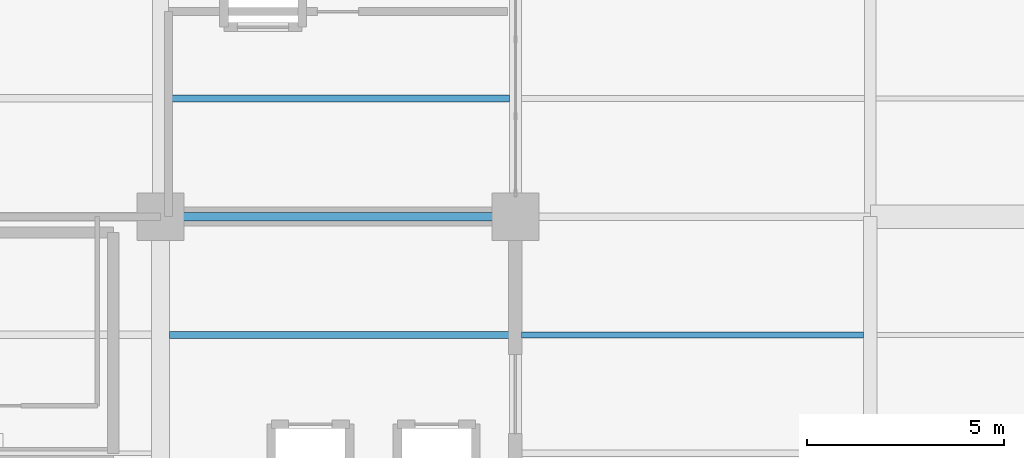
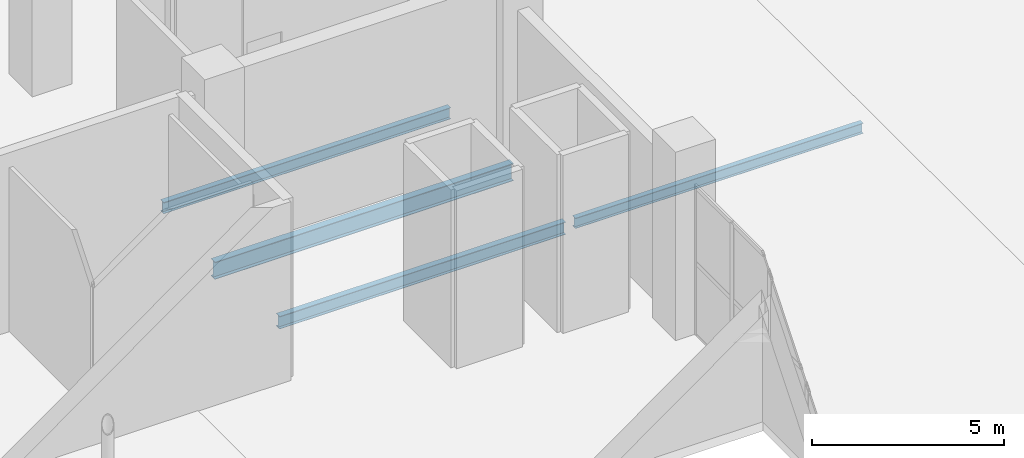
# One storey, part 39 of 144: 4 beams.
"""IFC4 building model written with IfcOpenShell, lengths in metres."""

from ifc_helpers import new_model, si_unit, direction, frame, origin, origin_2d, place, context, subcontext, project, spatial, i_section, extrude, material, material_profile, profile_set, type_object, element, save


model = new_model("IFC4")

# Units and contexts
model_context = context("Model", 3, precision=1e-05, world=origin(), true_north=direction((0.0, 1.0)))
body_context = subcontext(model_context, "Body", "Model", "MODEL_VIEW")
ifc_project = project(units=[si_unit("LENGTHUNIT", "METRE"), si_unit("AREAUNIT", "SQUARE_METRE"), si_unit("VOLUMEUNIT", "CUBIC_METRE"), si_unit("PLANEANGLEUNIT", "RADIAN"), si_unit("MASSUNIT", "GRAM", prefix="KILO")], contexts=[model_context])

# Site, building, storey
site_placement = place(None, origin())
site = spatial("IfcSite", under=ifc_project, at=site_placement, CompositionType="ELEMENT")
building_placement = place(site_placement, origin())
building = spatial("IfcBuilding", under=site, at=building_placement, Name="Sundgate Opera House", CompositionType="ELEMENT")
storey_placement = place(building_placement, origin())
storey = spatial("IfcBuildingStorey", under=building, at=storey_placement, Name="L00", CompositionType="ELEMENT", Elevation=0.0)

# Beams
ifc_material_1 = material(Name="Steel S355J2", Category="steel")
ifc_material_profile_1 = material_profile(ifc_material_1, i_section(OverallWidth=0.2099609375, OverallDepth=0.550048828125, WebThickness=0.010986328125, FlangeThickness=0.01708984375, at=origin_2d()), Name="IPE 550")
ifc_profile_set_1 = profile_set([ifc_material_profile_1], Name="Steel S355J2")
beam_type_1 = type_object("IfcBeamType", Name="BM-GR-IPE550", PredefinedType="BEAM", material=ifc_profile_set_1)
beam_1_placement = place(storey_placement, frame((63.0, 60.0, -0.594970703125), z_axis=(1.0, 0.0, 0.0), x_axis=(0.0, 1.0, 0.0)))
element("IfcBeam", 1, at=beam_1_placement, inside=storey, type_object=beam_type_1, Name="L00 Primary E-W Girder B0447", PredefinedType="BEAM", context=body_context, shape_type="SweptSolid", body=[
    extrude(i_section(OverallWidth=0.2099609375, OverallDepth=0.550048828125, WebThickness=0.010986328125, FlangeThickness=0.01708984375, at=origin_2d()), origin(), (0.0, 0.0, 1.0), 9.0),
])
ifc_material_2 = material(Name="Steel S355J2", Category="steel")
ifc_material_profile_2 = material_profile(ifc_material_2, i_section(OverallWidth=0.159912109375, OverallDepth=0.330078125, WebThickness=0.007568359375, FlangeThickness=0.011474609375, at=origin_2d()), Name="IPE 330")
ifc_profile_set_2 = profile_set([ifc_material_profile_2], Name="Steel S355J2")
beam_type_2 = type_object("IfcBeamType", Name="BM-JS-IPE330", PredefinedType="JOIST", material=ifc_profile_set_2)
beam_2_placement = place(storey_placement, frame((72.14990234375, 57.0, -0.485107421875), z_axis=(1.0, 0.0, 0.0), x_axis=(0.0, 1.0, 0.0)))
element("IfcBeam", 2, at=beam_2_placement, inside=storey, type_object=beam_type_2, Name="L00 Secondary Floor Joist B0787", PredefinedType="JOIST", context=body_context, shape_type="SweptSolid", body=[
    extrude(i_section(OverallWidth=0.159912109375, OverallDepth=0.330078125, WebThickness=0.007568359375, FlangeThickness=0.011474609375, at=origin_2d()), origin(), (0.0, 0.0, 1.0), 8.675048828125),
])
ifc_material_3 = material(Name="Steel S355J2", Category="steel")
ifc_material_profile_3 = material_profile(ifc_material_3, i_section(OverallWidth=0.169921875, OverallDepth=0.360107421875, WebThickness=0.008056640625, FlangeThickness=0.0126953125, at=origin_2d()), Name="IPE 360")
ifc_profile_set_3 = profile_set([ifc_material_profile_3], Name="Steel S355J2")
beam_type_3 = type_object("IfcBeamType", Name="BM-JS-IPE360", PredefinedType="JOIST", material=ifc_profile_set_3)
beam_3_placement = place(storey_placement, frame((63.199951171875, 63.0, -0.5), z_axis=(1.0, 0.0, 0.0), x_axis=(0.0, 1.0, 0.0)))
element("IfcBeam", 3, at=beam_3_placement, inside=storey, type_object=beam_type_3, Name="L00 Secondary Floor Joist B0814", PredefinedType="JOIST", context=body_context, shape_type="SweptSolid", body=[
    extrude(i_section(OverallWidth=0.169921875, OverallDepth=0.360107421875, WebThickness=0.008056640625, FlangeThickness=0.0126953125, at=origin_2d()), origin(), (0.0, 0.0, 1.0), 8.650146484375),
])
ifc_material_4 = material(Name="Steel S355J2", Category="steel")
ifc_material_profile_4 = material_profile(ifc_material_4, i_section(OverallWidth=0.179931640625, OverallDepth=0.39990234375, WebThickness=0.008544921875, FlangeThickness=0.013427734375, at=origin_2d()), Name="IPE 400")
ifc_profile_set_4 = profile_set([ifc_material_profile_4], Name="Steel S355J2")
beam_type_4 = type_object("IfcBeamType", Name="BM-JS-IPE400", PredefinedType="JOIST", material=ifc_profile_set_4)
beam_4_placement = place(storey_placement, frame((63.22509765625, 57.0, -0.52001953125), z_axis=(1.0, 0.0, 0.0), x_axis=(0.0, 1.0, 0.0)))
element("IfcBeam", 4, at=beam_4_placement, inside=storey, type_object=beam_type_4, Name="L00 Secondary Floor Joist B0785", PredefinedType="JOIST", context=body_context, shape_type="SweptSolid", body=[
    extrude(i_section(OverallWidth=0.179931640625, OverallDepth=0.39990234375, WebThickness=0.008544921875, FlangeThickness=0.013427734375, at=origin_2d()), origin(), (0.0, 0.0, 1.0), 8.625),
])

save(model, "model.ifc")
